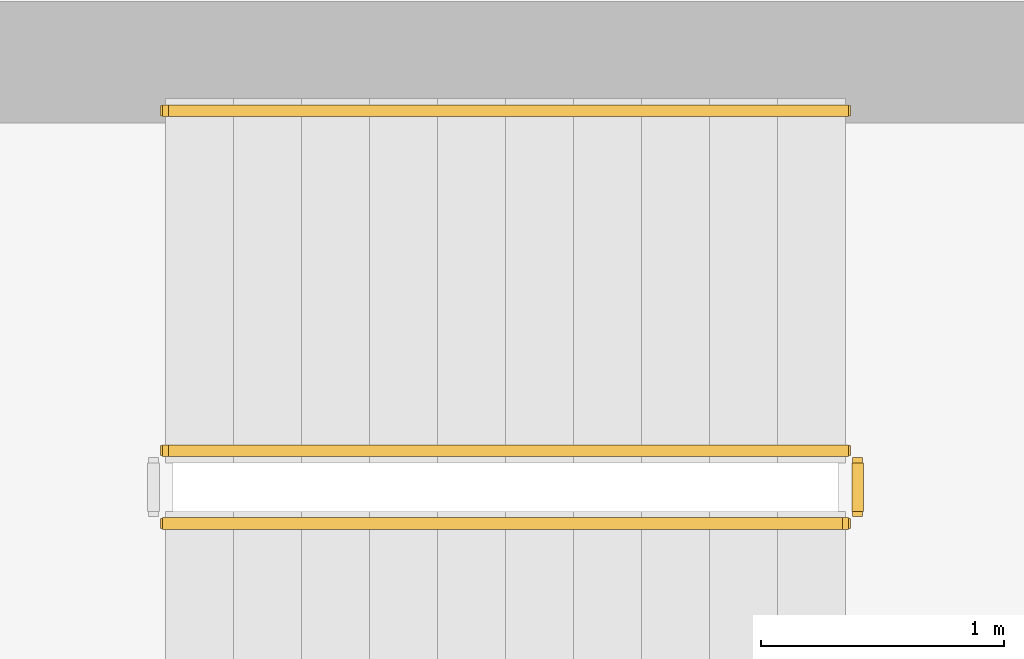
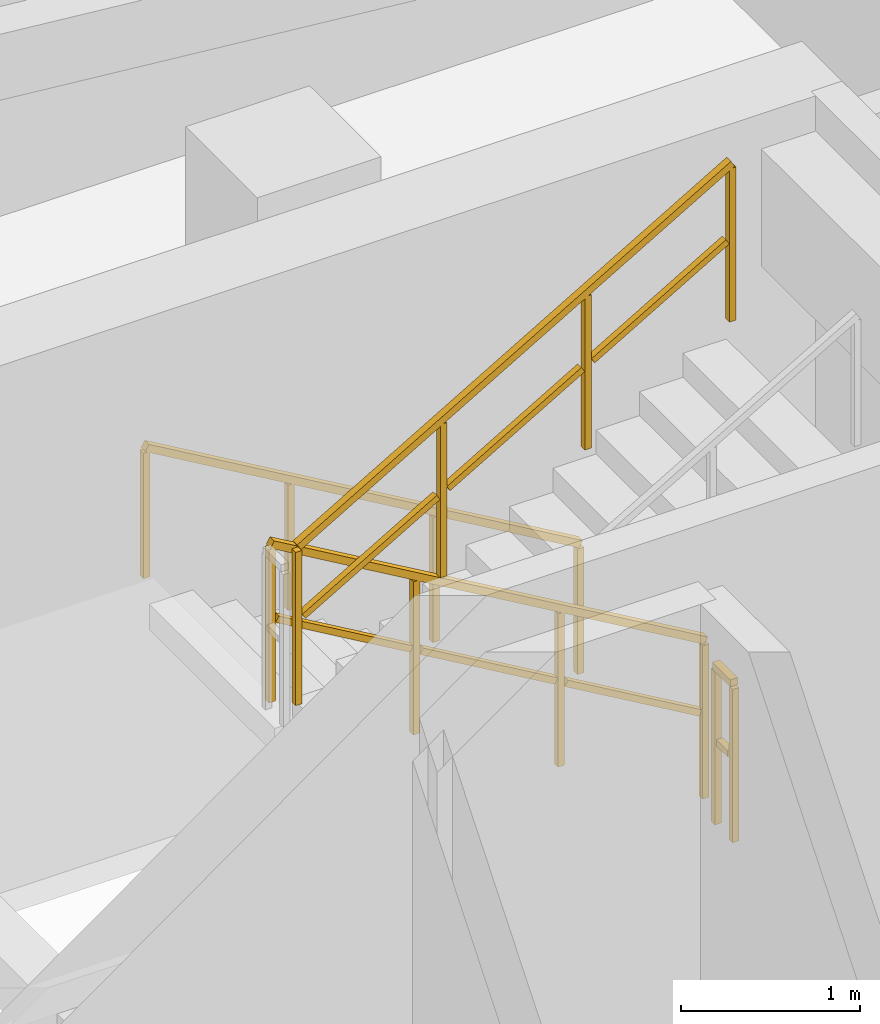
# One storey, part 33 of 35: 4 railings.
"""IFC4 building model written with IfcOpenShell, lengths in metres."""

from ifc_helpers import new_model, si_unit, direction, frame, origin, origin_2d, place, context, subcontext, project, spatial, rectangle, extrude, material, type_object, element, save


model = new_model("IFC4")

# Units and contexts
model_context = context("Model", 3, precision=1e-05, world=origin(), true_north=direction((0.0, 1.0)))
body_context = subcontext(model_context, "Body", "Model", "MODEL_VIEW")
ifc_project = project(units=[si_unit("LENGTHUNIT", "METRE"), si_unit("AREAUNIT", "SQUARE_METRE"), si_unit("VOLUMEUNIT", "CUBIC_METRE"), si_unit("PLANEANGLEUNIT", "RADIAN"), si_unit("MASSUNIT", "GRAM", prefix="KILO")], contexts=[model_context])

# Site, building, storey
site_placement = place(None, origin())
site = spatial("IfcSite", under=ifc_project, at=site_placement, CompositionType="ELEMENT")
building_placement = place(site_placement, origin())
building = spatial("IfcBuilding", under=site, at=building_placement, Name="Thornwick Lancets Civic Towers", CompositionType="ELEMENT")
storey_placement = place(building_placement, frame((0.0, 0.0, 272.699951171875)))
storey = spatial("IfcBuildingStorey", under=building, at=storey_placement, Name="L73", CompositionType="ELEMENT", Elevation=272.699951171875)

# Railings
ifc_material_1 = material(Name="Brushed stainless steel S355", Category="steel")
railing_type_1 = type_object("IfcRailingType", Name="RAIL_HANDRAIL", PredefinedType="HANDRAIL", material=ifc_material_1)
railing_1_placement = place(storey_placement, frame((31.60009765625, 38.949951171875, 0.16357421875)))
element("IfcRailing", 1, at=railing_1_placement, inside=storey, type_object=railing_type_1, Name="L73 ST-A2 stair handrail 1", PredefinedType="HANDRAIL", context=body_context, shape_type="SweptSolid", body=[
    extrude(rectangle(XDim=0.048095703125, YDim=0.048095703125, at=origin_2d()), frame((0.0, 0.0, 0.8857421875), z_axis=(-0.863360870873, 0.0, 0.504586966384), x_axis=(0.0, -1.0, 0.0)), (0.0, 0.0, 1.0), 3.2431640625),
    extrude(rectangle(XDim=0.0419921875, YDim=0.0419921875, at=origin_2d()), origin(), (0.0, 0.0, 1.0), 0.855712890625),
    extrude(rectangle(XDim=0.0419921875, YDim=0.0419921875, at=origin_2d()), frame((-0.933349609375, 0.0, 0.54541015625)), (0.0, 0.0, 1.0), 0.855712890625),
    extrude(rectangle(XDim=0.0419921875, YDim=0.0419921875, at=origin_2d()), frame((-1.86669921875, 0.0, 1.091064453125)), (0.0, 0.0, 1.0), 0.855712890625),
    extrude(rectangle(XDim=0.0419921875, YDim=0.0419921875, at=origin_2d()), frame((-2.800048828125, 0.0, 1.636474609375)), (0.0, 0.0, 1.0), 0.855712890625),
])
ifc_material_2 = material(Name="Steel S355JR", Category="steel")
railing_type_2 = type_object("IfcRailingType", Name="RAIL_STAIR_GUARD", PredefinedType="GUARDRAIL", material=ifc_material_2)
railing_2_placement = place(storey_placement, frame((31.60009765625, 37.550048828125, 0.16357421875)))
element("IfcRailing", 2, at=railing_2_placement, inside=storey, type_object=railing_type_2, Name="L73 ST-A2 stair guard 1", PredefinedType="GUARDRAIL", context=body_context, shape_type="SweptSolid", body=[
    extrude(rectangle(XDim=0.048095703125, YDim=0.048095703125, at=origin_2d()), frame((0.0, 0.0, 1.076171875), z_axis=(-0.863360870873, 0.0, 0.504586966384), x_axis=(0.0, -1.0, 0.0)), (0.0, 0.0, 1.0), 3.2431640625),
    extrude(rectangle(XDim=0.0419921875, YDim=0.0419921875, at=origin_2d()), frame((-0.032470703125, 0.0, 0.591064453125), z_axis=(-0.863360870873, 0.0, 0.504586966384), x_axis=(0.0, -1.0, 0.0)), (0.0, 0.0, 1.0), 1.006103515625),
    extrude(rectangle(XDim=0.0419921875, YDim=0.0419921875, at=origin_2d()), frame((-0.9658203125, 0.0, 1.136474609375), z_axis=(-0.863360870873, 0.0, 0.504586966384), x_axis=(0.0, -1.0, 0.0)), (0.0, 0.0, 1.0), 1.006103515625),
    extrude(rectangle(XDim=0.0419921875, YDim=0.0419921875, at=origin_2d()), frame((-1.899169921875, 0.0, 1.681884765625), z_axis=(-0.863360870873, 0.0, 0.504586966384), x_axis=(0.0, -1.0, 0.0)), (0.0, 0.0, 1.0), 1.006103515625),
    extrude(rectangle(XDim=0.0419921875, YDim=0.0419921875, at=origin_2d()), origin(), (0.0, 0.0, 1.0), 1.0458984375),
    extrude(rectangle(XDim=0.0419921875, YDim=0.0419921875, at=origin_2d()), frame((-0.933349609375, 0.0, 0.54541015625)), (0.0, 0.0, 1.0), 1.0458984375),
    extrude(rectangle(XDim=0.0419921875, YDim=0.0419921875, at=origin_2d()), frame((-1.86669921875, 0.0, 1.091064453125)), (0.0, 0.0, 1.0), 1.0458984375),
    extrude(rectangle(XDim=0.0419921875, YDim=0.0419921875, at=origin_2d()), frame((-2.800048828125, 0.0, 1.636474609375)), (0.0, 0.0, 1.0), 1.0458984375),
])
railing_3_placement = place(storey_placement, frame((28.800048828125, 37.25, 1.963623046875)))
element("IfcRailing", 3, at=railing_3_placement, inside=storey, type_object=railing_type_2, Name="L73 ST-A2 stair guard 3", PredefinedType="GUARDRAIL", context=body_context, shape_type="SweptSolid", body=[
    extrude(rectangle(XDim=0.048095703125, YDim=0.048095703125, at=origin_2d()), frame((0.0, 0.0, 1.076171875), z_axis=(0.863360870873, 0.0, 0.504586966384), x_axis=(0.0, 1.0, 0.0)), (0.0, 0.0, 1.0), 3.2431640625),
    extrude(rectangle(XDim=0.0419921875, YDim=0.0419921875, at=origin_2d()), frame((0.032470703125, 0.0, 0.591064453125), z_axis=(0.863360870873, 0.0, 0.504586966384), x_axis=(0.0, 1.0, 0.0)), (0.0, 0.0, 1.0), 1.006103515625),
    extrude(rectangle(XDim=0.0419921875, YDim=0.0419921875, at=origin_2d()), frame((0.9658203125, 0.0, 1.136474609375), z_axis=(0.863360870873, 0.0, 0.504586966384), x_axis=(0.0, 1.0, 0.0)), (0.0, 0.0, 1.0), 1.006103515625),
    extrude(rectangle(XDim=0.0419921875, YDim=0.0419921875, at=origin_2d()), frame((1.899169921875, 0.0, 1.681884765625), z_axis=(0.863360870873, 0.0, 0.504586966384), x_axis=(0.0, 1.0, 0.0)), (0.0, 0.0, 1.0), 1.006103515625),
    extrude(rectangle(XDim=0.0419921875, YDim=0.0419921875, at=origin_2d()), origin(), (0.0, 0.0, 1.0), 1.0458984375),
    extrude(rectangle(XDim=0.0419921875, YDim=0.0419921875, at=origin_2d()), frame((0.933349609375, 0.0, 0.54541015625)), (0.0, 0.0, 1.0), 1.0458984375),
    extrude(rectangle(XDim=0.0419921875, YDim=0.0419921875, at=origin_2d()), frame((1.86669921875, 0.0, 1.091064453125)), (0.0, 0.0, 1.0), 1.0458984375),
    extrude(rectangle(XDim=0.0419921875, YDim=0.0419921875, at=origin_2d()), frame((2.800048828125, 0.0, 1.636474609375)), (0.0, 0.0, 1.0), 1.0458984375),
])
railing_4_placement = place(storey_placement, frame((31.64990234375, 37.5, 0.0)))
element("IfcRailing", 4, at=railing_4_placement, inside=storey, type_object=railing_type_2, Name="L73 ST-A2 stair guard 4", PredefinedType="GUARDRAIL", context=body_context, shape_type="SweptSolid", body=[
    extrude(rectangle(XDim=0.048095703125, YDim=0.048095703125, at=origin_2d()), frame((0.0, 0.0, 1.076171875), z_axis=(0.0, -1.0, 0.0), x_axis=(1.0, 0.0, 0.0)), (0.0, 0.0, 1.0), 0.199951171875),
    extrude(rectangle(XDim=0.0419921875, YDim=0.0419921875, at=origin_2d()), frame((0.0, -0.03759765625, 0.572021484375), z_axis=(0.0, -1.0, 0.0), x_axis=(1.0, 0.0, 0.0)), (0.0, 0.0, 1.0), 0.125),
    extrude(rectangle(XDim=0.0419921875, YDim=0.0419921875, at=origin_2d()), origin(), (0.0, 0.0, 1.0), 1.0458984375),
    extrude(rectangle(XDim=0.0419921875, YDim=0.0419921875, at=origin_2d()), frame((0.0, -0.199951171875, 0.0)), (0.0, 0.0, 1.0), 1.0458984375),
])

save(model, "model.ifc")
